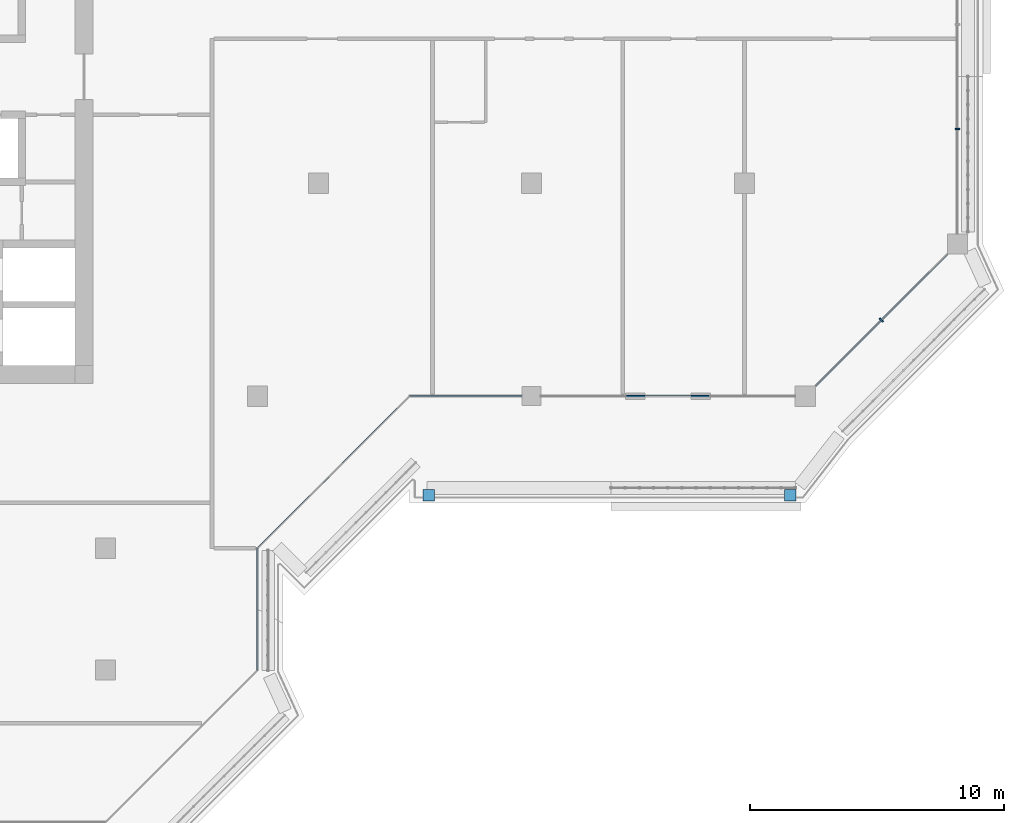
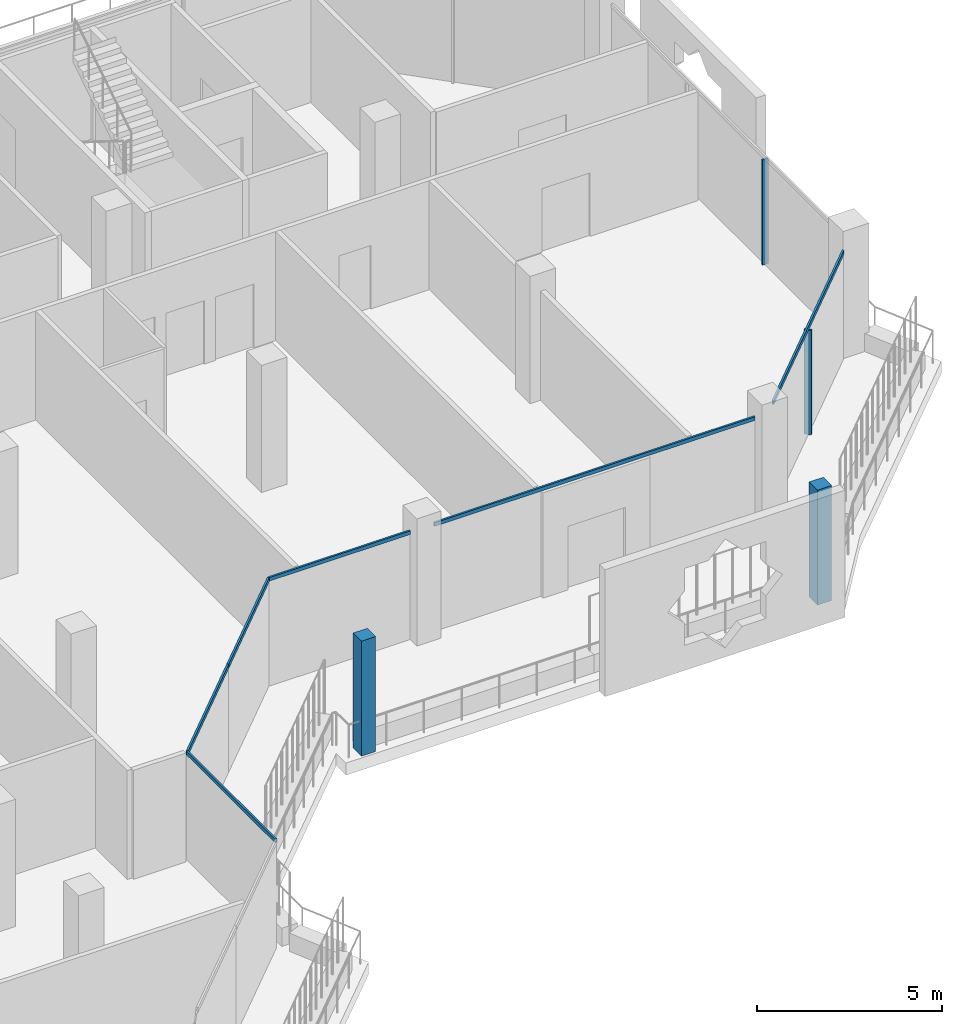
# One storey, part 5 of 21: 10 members, 6 elements without a shape of their own.
"""IFC4 building model written with IfcOpenShell, lengths in metres."""

from ifc_helpers import new_model, si_unit, direction, frame, origin, origin_2d, place, context, subcontext, project, spatial, rectangle, extrude, material, layer, layer_set, material_profile, profile_set, type_object, element, aggregate, save


model = new_model("IFC4")

# Units and contexts
model_context = context("Model", 3, precision=1e-05, world=origin(), true_north=direction((0.0, 1.0)))
body_context = subcontext(model_context, "Body", "Model", "MODEL_VIEW")
ifc_project = project(units=[si_unit("LENGTHUNIT", "METRE"), si_unit("AREAUNIT", "SQUARE_METRE"), si_unit("VOLUMEUNIT", "CUBIC_METRE"), si_unit("PLANEANGLEUNIT", "RADIAN"), si_unit("MASSUNIT", "GRAM", prefix="KILO")], contexts=[model_context])

# Site, building, storey
site_placement = place(None, origin())
site = spatial("IfcSite", under=ifc_project, at=site_placement, CompositionType="ELEMENT")
building_placement = place(site_placement, origin())
building = spatial("IfcBuilding", under=site, at=building_placement, Name="Kawkab Arch Medical Tower", CompositionType="ELEMENT")
storey_placement = place(building_placement, frame((0.0, 0.0, 323.800048828125)))
storey = spatial("IfcBuildingStorey", under=building, at=storey_placement, Name="L75", CompositionType="ELEMENT", Elevation=323.800048828125)

# Curtain wall, member
ifc_material_1 = material(Name="Bronze anodised aluminium curtain wall frame", Category="aluminium")
ifc_layer_1 = layer(ifc_material_1, 0.159912109375)
ifc_layer_set_1 = layer_set([ifc_layer_1], Name="Bronze anodised aluminium curtain wall frame")
curtain_wall_type_1 = type_object("IfcCurtainWallType", Name="CW1 ward curtain wall", PredefinedType="NOTDEFINED", material=ifc_layer_set_1)
placement = place(storey_placement, origin())
curtain_wall_1 = element("IfcCurtainWall", 1, at=placement, inside=storey, type_object=curtain_wall_type_1, Name="CW1 Ward curtain wall R13", PredefinedType="NOTDEFINED")
ifc_material_2 = material(Name="Bronze anodised aluminium curtain wall frame", Category="aluminium")
ifc_material_profile_1 = material_profile(ifc_material_2, rectangle(XDim=0.179931640625, YDim=0.06005859375, at=origin_2d()), Name="AL 60x180")
ifc_profile_set_1 = profile_set([ifc_material_profile_1], Name="Bronze anodised aluminium curtain wall frame")
member_type_1 = type_object("IfcMemberType", Name="CW1 mullion 60 x 180", PredefinedType="MULLION", material=ifc_profile_set_1)
member_1_placement = place(storey_placement, frame((58.800048828125, -14.666748046875, 0.0), z_axis=(0.0, 0.0, 1.0), x_axis=(-1.0, 0.0, 0.0)))
member_1 = element("IfcMember", 2, at=member_1_placement, type_object=member_type_1, Name="CW1 mullion 1.1", PredefinedType="MULLION", context=body_context, shape_type="SweptSolid", body=[
    extrude(rectangle(XDim=0.179931640625, YDim=0.06005859375, at=origin_2d()), origin(), (0.0, 0.0, 1.0), 3.47998046875),
])
aggregate(curtain_wall_1, [member_1])

curtain_wall_2 = element("IfcCurtainWall", 3, at=placement, inside=storey, type_object=curtain_wall_type_1, Name="CW1 Ward curtain wall R09", PredefinedType="NOTDEFINED")
ifc_material_3 = material(Name="Bronze anodised aluminium curtain wall frame", Category="aluminium")
ifc_material_profile_2 = material_profile(ifc_material_3, rectangle(XDim=0.06005859375, YDim=0.1201171875, at=origin_2d()), Name="AL 60x120")
ifc_profile_set_2 = profile_set([ifc_material_profile_2], Name="Bronze anodised aluminium curtain wall frame")
member_type_2 = type_object("IfcMemberType", Name="CW1 transom 120 x 60", PredefinedType="USERDEFINED", material=ifc_profile_set_2)
member_2_placement = place(storey_placement, frame((31.199951171875, -36.0, 3.5400390625), z_axis=(0.0, 1.0, 0.0), x_axis=(-1.0, 0.0, 0.0)))
member_2 = element("IfcMember", 4, at=member_2_placement, type_object=member_type_2, Name="CW1 transom 1", ObjectType="TRANSOM", PredefinedType="USERDEFINED", context=body_context, shape_type="SweptSolid", body=[
    extrude(rectangle(XDim=0.06005859375, YDim=0.1201171875, at=origin_2d()), origin(), (0.0, 0.0, 1.0), 4.800048828125),
])
aggregate(curtain_wall_2, [member_2])

# Curtain wall, members
curtain_wall_3 = element("IfcCurtainWall", 5, at=placement, inside=storey, type_object=curtain_wall_type_1, Name="CW1 Ward curtain wall R11", PredefinedType="NOTDEFINED")
member_3_placement = place(storey_placement, frame((37.199951171875, -25.199951171875, 3.5400390625), z_axis=(1.0, 0.0, 0.0), x_axis=(0.0, 1.0, 0.0)))
member_3 = element("IfcMember", 6, at=member_3_placement, type_object=member_type_2, Name="CW1 transom 1", ObjectType="TRANSOM", PredefinedType="USERDEFINED", context=body_context, shape_type="SweptSolid", body=[
    extrude(rectangle(XDim=0.06005859375, YDim=0.1201171875, at=origin_2d()), origin(), (0.0, 0.0, 1.0), 4.425048828125),
])
member_4_placement = place(storey_placement, frame((42.375, -25.199951171875, 3.5400390625), z_axis=(1.0, 0.0, 0.0), x_axis=(0.0, 1.0, 0.0)))
member_4 = element("IfcMember", 7, at=member_4_placement, type_object=member_type_2, Name="CW1 transom 2", ObjectType="TRANSOM", PredefinedType="USERDEFINED", context=body_context, shape_type="SweptSolid", body=[
    extrude(rectangle(XDim=0.06005859375, YDim=0.1201171875, at=origin_2d()), origin(), (0.0, 0.0, 1.0), 10.02490234375),
])
aggregate(curtain_wall_3, [member_3, member_4])

# Curtain wall, member
ifc_material_4 = material(Name="Bronze anodised aluminium curtain wall frame", Category="aluminium")
ifc_layer_2 = layer(ifc_material_4, 0.159912109375)
ifc_layer_set_2 = layer_set([ifc_layer_2], Name="Bronze anodised aluminium curtain wall frame")
curtain_wall_type_2 = type_object("IfcCurtainWallType", Name="CW2 chamfer curtain wall", PredefinedType="NOTDEFINED", material=ifc_layer_set_2)
curtain_wall_4 = element("IfcCurtainWall", 8, at=placement, inside=storey, type_object=curtain_wall_type_2, Name="CW2 Chamfer curtain wall R12", PredefinedType="NOTDEFINED")
ifc_material_5 = material(Name="Bronze anodised aluminium curtain wall frame", Category="aluminium")
ifc_material_profile_3 = material_profile(ifc_material_5, rectangle(XDim=0.199951171875, YDim=0.06005859375, at=origin_2d()), Name="AL 60x200")
ifc_profile_set_3 = profile_set([ifc_material_profile_3], Name="Bronze anodised aluminium curtain wall frame")
member_type_3 = type_object("IfcMemberType", Name="CW2 mullion 60 x 200", PredefinedType="MULLION", material=ifc_profile_set_3)
member_5_placement = place(storey_placement, frame((55.800048828125, -22.199951171875, 0.0), z_axis=(0.0, 0.0, 1.0), x_axis=(-0.707106781187, 0.707106781187, 0.0)))
member_5 = element("IfcMember", 9, at=member_5_placement, type_object=member_type_3, Name="CW2 mullion 1.1", PredefinedType="MULLION", context=body_context, shape_type="SweptSolid", body=[
    extrude(rectangle(XDim=0.199951171875, YDim=0.06005859375, at=origin_2d()), origin(), (0.0, 0.0, 1.0), 3.4599609375),
])

# Curtain wall, members
curtain_wall_5 = element("IfcCurtainWall", 10, at=placement, inside=storey, type_object=curtain_wall_type_2, Name="CW2 Chamfer curtain wall R10", PredefinedType="NOTDEFINED")
ifc_material_6 = material(Name="Bronze anodised aluminium curtain wall frame", Category="aluminium")
ifc_material_profile_4 = material_profile(ifc_material_6, rectangle(XDim=0.06005859375, YDim=0.139892578125, at=origin_2d()), Name="AL 60x140")
ifc_profile_set_4 = profile_set([ifc_material_profile_4], Name="Bronze anodised aluminium curtain wall frame")
member_type_4 = type_object("IfcMemberType", Name="CW2 transom 140 x 60", PredefinedType="USERDEFINED", material=ifc_profile_set_4)
member_6_placement = place(storey_placement, frame((31.199951171875, -31.199951171875, 3.530029296875), z_axis=(0.707106781187, 0.707106781187, 0.0), x_axis=(-0.707106781187, 0.707106781187, 0.0)))
member_6 = element("IfcMember", 11, at=member_6_placement, type_object=member_type_4, Name="CW2 transom 1", ObjectType="TRANSOM", PredefinedType="USERDEFINED", context=body_context, shape_type="SweptSolid", body=[
    extrude(rectangle(XDim=0.06005859375, YDim=0.139892578125, at=origin_2d()), origin(), (0.0, 0.0, 1.0), 4.24267578125),
])
member_7_placement = place(storey_placement, frame((34.199951171875, -28.199951171875, 3.530029296875), z_axis=(0.707106781187, 0.707106781187, 0.0), x_axis=(-0.707106781187, 0.707106781187, 0.0)))
member_7 = element("IfcMember", 12, at=member_7_placement, type_object=member_type_4, Name="CW2 transom 2", ObjectType="TRANSOM", PredefinedType="USERDEFINED", context=body_context, shape_type="SweptSolid", body=[
    extrude(rectangle(XDim=0.06005859375, YDim=0.139892578125, at=origin_2d()), origin(), (0.0, 0.0, 1.0), 4.24267578125),
])
aggregate(curtain_wall_5, [member_6, member_7])

# Member
member_8_placement = place(storey_placement, frame((53.199951171875, -24.800048828125, 3.530029296875), z_axis=(0.707106781187, 0.707106781187, 0.0), x_axis=(-0.707106781187, 0.707106781187, 0.0)))
member_8 = element("IfcMember", 13, at=member_8_placement, type_object=member_type_4, Name="CW2 transom 1", ObjectType="TRANSOM", PredefinedType="USERDEFINED", context=body_context, shape_type="SweptSolid", body=[
    extrude(rectangle(XDim=0.06005859375, YDim=0.139892578125, at=origin_2d()), origin(), (0.0, 0.0, 1.0), 7.353759765625),
])

aggregate(curtain_wall_4, [member_8, member_5])

# Curtain wall, members
ifc_material_7 = material(Name="Bronze anodised aluminium climber frame, planted", Category="aluminium")
ifc_layer_3 = layer(ifc_material_7, 0.449951171875)
ifc_layer_set_3 = layer_set([ifc_layer_3], Name="Bronze anodised aluminium climber frame, planted")
curtain_wall_type_3 = type_object("IfcCurtainWallType", Name="Planted climber frame", PredefinedType="NOTDEFINED", material=ifc_layer_set_3)
curtain_wall_6 = element("IfcCurtainWall", 14, at=placement, inside=storey, type_object=curtain_wall_type_3, Name="Planted climber frame L75", PredefinedType="NOTDEFINED")
ifc_material_8 = material(Name="Bronze anodised aluminium climber frame, planted", Category="aluminium")
ifc_material_profile_5 = material_profile(ifc_material_8, rectangle(XDim=0.449951171875, YDim=0.449951171875, at=origin_2d()), Name="Post 450x450")
ifc_profile_set_5 = profile_set([ifc_material_profile_5], Name="Bronze anodised aluminium climber frame, planted")
member_type_5 = type_object("IfcMemberType", Name="Planted climber post 450 x 450", PredefinedType="MULLION", material=ifc_profile_set_5)
member_9_placement = place(storey_placement, frame((52.202880859375, -29.10009765625, 0.0), z_axis=(0.0, 0.0, 1.0), x_axis=(1.0, 0.0, 0.0)))
member_9 = element("IfcMember", 15, at=member_9_placement, type_object=member_type_5, Name="Planted climber post L75.LOG-01-01.5", PredefinedType="MULLION", context=body_context, shape_type="SweptSolid", body=[
    extrude(rectangle(XDim=0.449951171875, YDim=0.449951171875, at=origin_2d()), origin(), (0.0, 0.0, 1.0), 3.800048828125),
])
member_10_placement = place(storey_placement, frame((37.949951171875, -29.10009765625, 0.0), z_axis=(0.0, 0.0, 1.0), x_axis=(1.0, 0.0, 0.0)))
member_10 = element("IfcMember", 16, at=member_10_placement, type_object=member_type_5, Name="Planted climber post L75.LOG-01-01.6", PredefinedType="MULLION", context=body_context, shape_type="SweptSolid", body=[
    extrude(rectangle(XDim=0.449951171875, YDim=0.449951171875, at=origin_2d()), origin(), (0.0, 0.0, 1.0), 3.800048828125),
])
aggregate(curtain_wall_6, [member_9, member_10])

save(model, "model.ifc")
